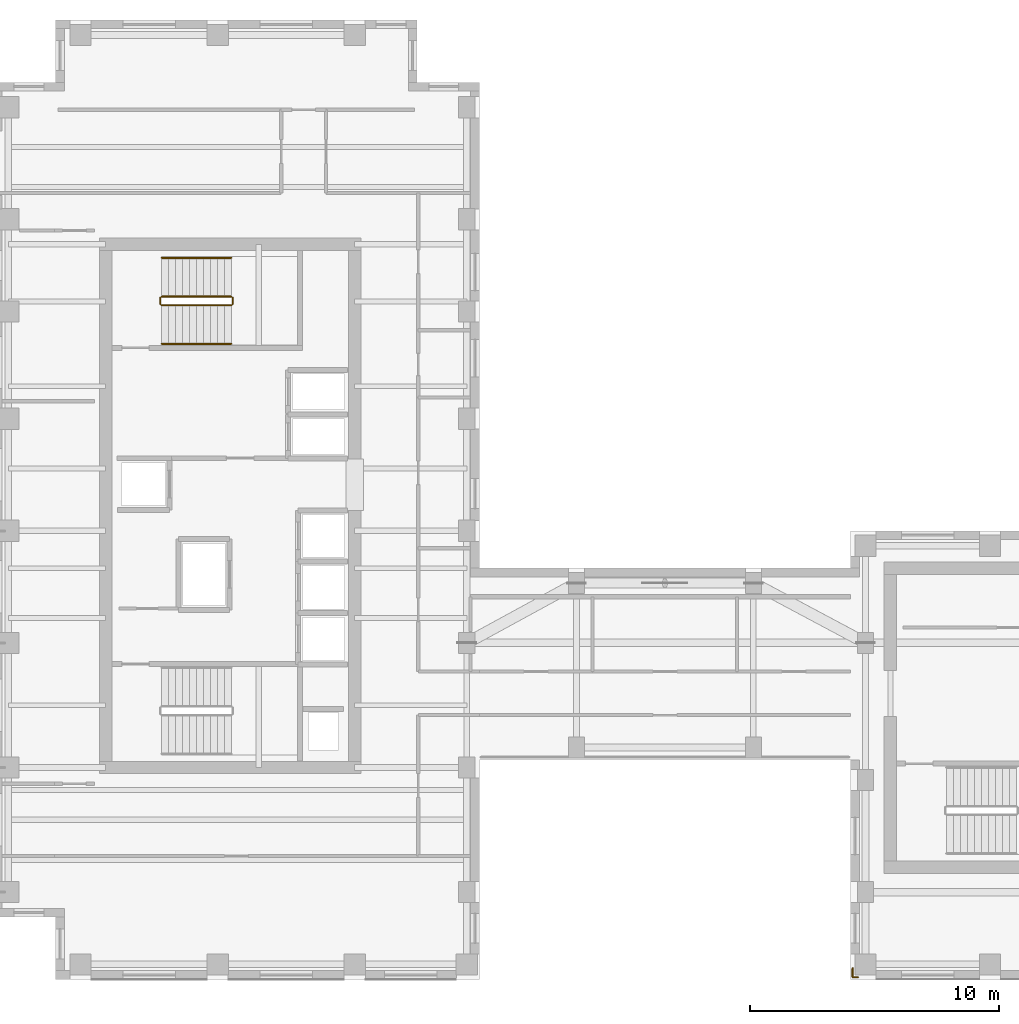
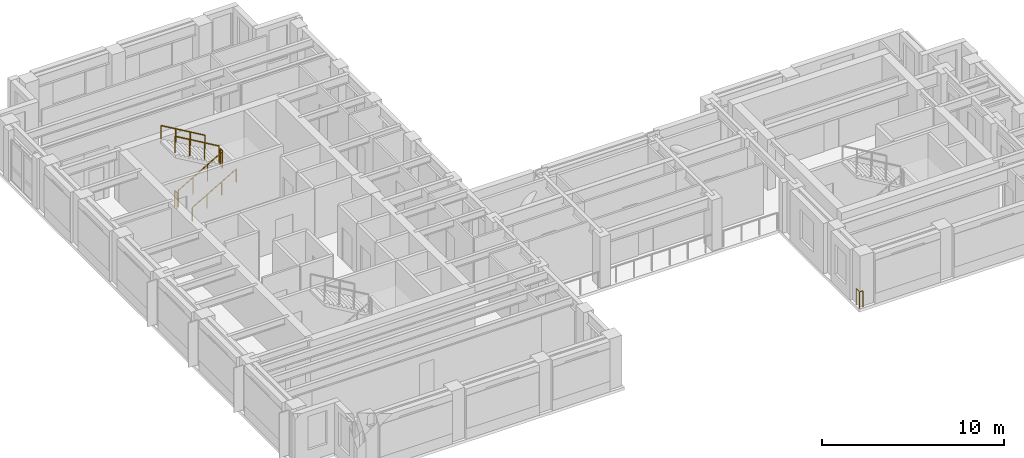
# One storey, part 12 of 13: 7 railings.
"""IFC4 building model written with IfcOpenShell, lengths in metres."""

from ifc_helpers import new_model, si_unit, direction, frame, origin, origin_2d, place, context, subcontext, project, spatial, circle, extrude, source, transform, mapped, material, layer, layer_set, type_object, element, save


model = new_model("IFC4")

# Units and contexts
model_context = context("Model", 3, precision=1e-05, world=origin(), true_north=direction((0.0, 1.0)))
body_context = subcontext(model_context, "Body", "Model", "MODEL_VIEW")
ifc_project = project(units=[si_unit("LENGTHUNIT", "METRE"), si_unit("AREAUNIT", "SQUARE_METRE"), si_unit("VOLUMEUNIT", "CUBIC_METRE"), si_unit("PLANEANGLEUNIT", "RADIAN"), si_unit("MASSUNIT", "GRAM", prefix="KILO")], contexts=[model_context])

# Site, building, storey
site_placement = place(None, origin())
site = spatial("IfcSite", under=ifc_project, at=site_placement, CompositionType="ELEMENT")
building_placement = place(site_placement, origin())
building = spatial("IfcBuilding", under=site, at=building_placement, Name="Kharzan Plaza Tower", CompositionType="ELEMENT")
storey_placement = place(building_placement, frame((0.0, 0.0, 244.800048828125)))
storey = spatial("IfcBuildingStorey", under=building, at=storey_placement, Name="L66", CompositionType="ELEMENT", Elevation=244.800048828125)

# Railings
ifc_material_1 = material(Name="Painted Galvanized Architectural Steel", Category="steel")
ifc_layer_1 = layer(ifc_material_1, 0.074951171875)
ifc_layer_set_1 = layer_set([ifc_layer_1], Name="Painted Galvanized Architectural Steel")
railing_type_1 = type_object("IfcRailingType", Name="RL-GUARD-1120", PredefinedType="BALUSTRADE", material=ifc_layer_set_1)
shared_shape_1 = source(origin(), body_context, "Body", "SweptSolid", [
    extrude(circle(Radius=0.02392578125, at=origin_2d()), frame((0.0, 0.0263671875, 1.09619140625), z_axis=(0.0, 1.0, 0.0), x_axis=(-1.0, 0.0, 0.0)), (0.0, 0.0, 1.0), 0.197021484375),
    extrude(circle(Radius=0.02099609375, at=origin_2d()), origin(), (0.0, 0.0, 1.0), 1.072021484375),
    extrude(circle(Radius=0.02099609375, at=origin_2d()), frame((0.0, 0.25, 0.0)), (0.0, 0.0, 1.0), 1.072021484375),
])
for number, where, name in (
    (1, (9.60009765625, 27.10009765625, 1.800048828125), "L66 ST-2 stair guard 2"),
    (2, (6.699951171875, 27.10009765625, 0.0), "L66 ST-2 stair guard 4"),
):
    element("IfcRailing", number, at=place(storey_placement, frame(where)), inside=storey, type_object=railing_type_1, Name=name, PredefinedType="BALUSTRADE", context=body_context, shape_type="MappedRepresentation", body=[
        mapped(shared_shape_1, transform((0.0, 0.0, 0.0), x_axis=(1.0, 0.0, 0.0), y_axis=(0.0, 1.0, 0.0), z_axis=(0.0, 0.0, 1.0))),
    ])
shared_shape_2 = source(origin(), body_context, "Body", "SweptSolid", [
    extrude(circle(Radius=0.02392578125, at=origin_2d()), frame((0.02294921875, 0.0, 1.109375), z_axis=(0.863360870873, 0.0, 0.504586966384), x_axis=(0.0, 1.0, 0.0)), (0.0, 0.0, 1.0), 3.190185546875),
    extrude(circle(Radius=0.02099609375, at=origin_2d()), origin(), (0.0, 0.0, 1.0), 1.072021484375),
    extrude(circle(Radius=0.02099609375, at=origin_2d()), frame((0.933349609375, 0.0, 0.54541015625)), (0.0, 0.0, 1.0), 1.072021484375),
    extrude(circle(Radius=0.02099609375, at=origin_2d()), frame((1.86669921875, 0.0, 1.091064453125)), (0.0, 0.0, 1.0), 1.072021484375),
    extrude(circle(Radius=0.02099609375, at=origin_2d()), frame((2.800048828125, 0.0, 1.636474609375)), (0.0, 0.0, 1.0), 1.072021484375),
])
railing_1_placement = place(storey_placement, frame((6.75, 27.050048828125, 0.16357421875)))
element("IfcRailing", 3, at=railing_1_placement, inside=storey, type_object=railing_type_1, Name="L66 ST-2 stair guard 1", PredefinedType="BALUSTRADE", context=body_context, shape_type="MappedRepresentation", body=[
    mapped(shared_shape_2, transform((0.0, 0.0, 0.0), x_axis=(1.0, 0.0, 0.0), y_axis=(0.0, 1.0, 0.0), z_axis=(0.0, 0.0, 1.0))),
])
ifc_material_2 = material(Name="Brushed Stainless Steel", Category="steel")
ifc_layer_2 = layer(ifc_material_2, 0.050048828125)
ifc_layer_set_2 = layer_set([ifc_layer_2], Name="Brushed Stainless Steel")
railing_type_2 = type_object("IfcRailingType", Name="RL-STAIR-HR920", PredefinedType="HANDRAIL", material=ifc_layer_set_2)
shared_shape_3 = source(origin(), body_context, "Body", "SweptSolid", [
    extrude(circle(Radius=0.02392578125, at=origin_2d()), frame((0.02294921875, 0.0, 0.88916015625), z_axis=(0.863360870873, 0.0, 0.504586966384), x_axis=(0.0, 1.0, 0.0)), (0.0, 0.0, 1.0), 3.190185546875),
    extrude(circle(Radius=0.02099609375, at=origin_2d()), origin(), (0.0, 0.0, 1.0), 0.851806640625),
    extrude(circle(Radius=0.02099609375, at=origin_2d()), frame((0.933349609375, 0.0, 0.54541015625)), (0.0, 0.0, 1.0), 0.851806640625),
    extrude(circle(Radius=0.02099609375, at=origin_2d()), frame((1.86669921875, 0.0, 1.091064453125)), (0.0, 0.0, 1.0), 0.851806640625),
    extrude(circle(Radius=0.02099609375, at=origin_2d()), frame((2.800048828125, 0.0, 1.636474609375)), (0.0, 0.0, 1.0), 0.851806640625),
])
railing_2_placement = place(storey_placement, frame((6.75, 25.5, 0.16357421875)))
element("IfcRailing", 4, at=railing_2_placement, inside=storey, type_object=railing_type_2, Name="L66 ST-2 stair handrail 1", PredefinedType="HANDRAIL", context=body_context, shape_type="MappedRepresentation", body=[
    mapped(shared_shape_3, transform((0.0, 0.0, 0.0), x_axis=(1.0, 0.0, 0.0), y_axis=(0.0, 1.0, 0.0), z_axis=(0.0, 0.0, 1.0))),
])
shared_shape_4 = source(origin(), body_context, "Body", "SweptSolid", [
    extrude(circle(Radius=0.02392578125, at=origin_2d()), frame((-0.02294921875, 0.0, 1.109375), z_axis=(-0.863393664356, 0.0, 0.504530851732), x_axis=(0.0, -1.0, 0.0)), (0.0, 0.0, 1.0), 3.190185546875),
    extrude(circle(Radius=0.02099609375, at=origin_2d()), origin(), (0.0, 0.0, 1.0), 1.072021484375),
    extrude(circle(Radius=0.02099609375, at=origin_2d()), frame((-0.933349609375, 0.0, 0.54541015625)), (0.0, 0.0, 1.0), 1.072021484375),
    extrude(circle(Radius=0.02099609375, at=origin_2d()), frame((-1.86669921875, 0.0, 1.0908203125)), (0.0, 0.0, 1.0), 1.072021484375),
    extrude(circle(Radius=0.02099609375, at=origin_2d()), frame((-2.800048828125, 0.0, 1.63623046875)), (0.0, 0.0, 1.0), 1.072021484375),
])
railing_3_placement = place(storey_placement, frame((9.550048828125, 27.39990234375, 1.963623046875)))
element("IfcRailing", 5, at=railing_3_placement, inside=storey, type_object=railing_type_1, Name="L66 ST-2 stair guard 3", PredefinedType="BALUSTRADE", context=body_context, shape_type="MappedRepresentation", body=[
    mapped(shared_shape_4, transform((0.0, 0.0, 0.0), x_axis=(1.0, 0.0, 0.0), y_axis=(0.0, 1.0, 0.0), z_axis=(0.0, 0.0, 1.0))),
])
shared_shape_5 = source(origin(), body_context, "Body", "SweptSolid", [
    extrude(circle(Radius=0.02392578125, at=origin_2d()), frame((-0.02294921875, 0.0, 0.88916015625), z_axis=(-0.863393664356, 0.0, 0.504530851732), x_axis=(0.0, -1.0, 0.0)), (0.0, 0.0, 1.0), 3.190185546875),
    extrude(circle(Radius=0.02099609375, at=origin_2d()), origin(), (0.0, 0.0, 1.0), 0.851806640625),
    extrude(circle(Radius=0.02099609375, at=origin_2d()), frame((-0.933349609375, 0.0, 0.54541015625)), (0.0, 0.0, 1.0), 0.851806640625),
    extrude(circle(Radius=0.02099609375, at=origin_2d()), frame((-1.86669921875, 0.0, 1.0908203125)), (0.0, 0.0, 1.0), 0.851806640625),
    extrude(circle(Radius=0.02099609375, at=origin_2d()), frame((-2.800048828125, 0.0, 1.63623046875)), (0.0, 0.0, 1.0), 0.851806640625),
])
railing_4_placement = place(storey_placement, frame((9.550048828125, 28.949951171875, 1.963623046875)))
element("IfcRailing", 6, at=railing_4_placement, inside=storey, type_object=railing_type_2, Name="L66 ST-2 stair handrail 2", PredefinedType="HANDRAIL", context=body_context, shape_type="MappedRepresentation", body=[
    mapped(shared_shape_5, transform((0.0, 0.0, 0.0), x_axis=(1.0, 0.0, 0.0), y_axis=(0.0, 1.0, 0.0), z_axis=(0.0, 0.0, 1.0))),
])
shared_shape_6 = source(origin(), body_context, "Body", "SweptSolid", [
    extrude(circle(Radius=0.02392578125, at=origin_2d()), frame((-0.0263671875, 0.0, 1.09619140625), z_axis=(-1.0, 0.0, 0.0), x_axis=(0.0, -1.0, 0.0)), (0.0, 0.0, 1.0), 0.1669921875),
    extrude(circle(Radius=0.02392578125, at=origin_2d()), frame((-0.219970703125, 0.0263671875, 1.09619140625), z_axis=(0.0, 1.0, 0.0), x_axis=(-1.0, 0.0, 0.0)), (0.0, 0.0, 1.0), 0.31689453125),
    extrude(circle(Radius=0.02099609375, at=origin_2d()), origin(), (0.0, 0.0, 1.0), 1.072021484375),
    extrude(circle(Radius=0.02099609375, at=origin_2d()), frame((-0.219970703125, 0.0, 0.0)), (0.0, 0.0, 1.0), 1.072021484375),
    extrude(circle(Radius=0.02099609375, at=origin_2d()), frame((-0.219970703125, 0.369873046875, 0.0)), (0.0, 0.0, 1.0), 1.072021484375),
])
railing_5_placement = place(storey_placement, frame((34.699951171875, 0.080078125, 0.0)))
element("IfcRailing", 7, at=railing_5_placement, inside=storey, type_object=railing_type_1, Name="L66 South-West Wing B Slot Corner Safety Guard", PredefinedType="BALUSTRADE", context=body_context, shape_type="MappedRepresentation", body=[
    mapped(shared_shape_6, transform((0.0, 0.0, 0.0), x_axis=(1.0, 0.0, 0.0), y_axis=(0.0, 1.0, 0.0), z_axis=(0.0, 0.0, 1.0))),
])

save(model, "model.ifc")
